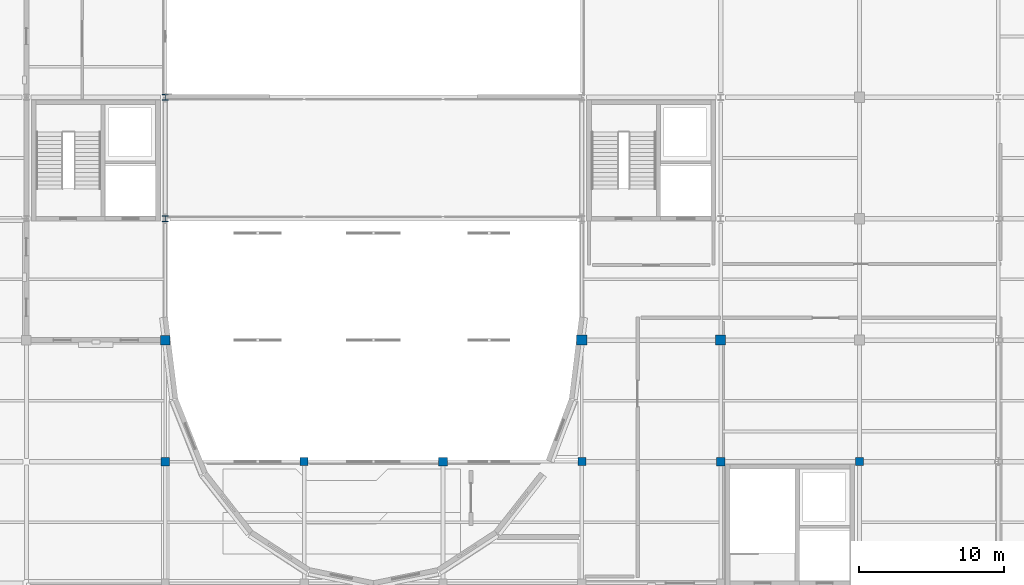
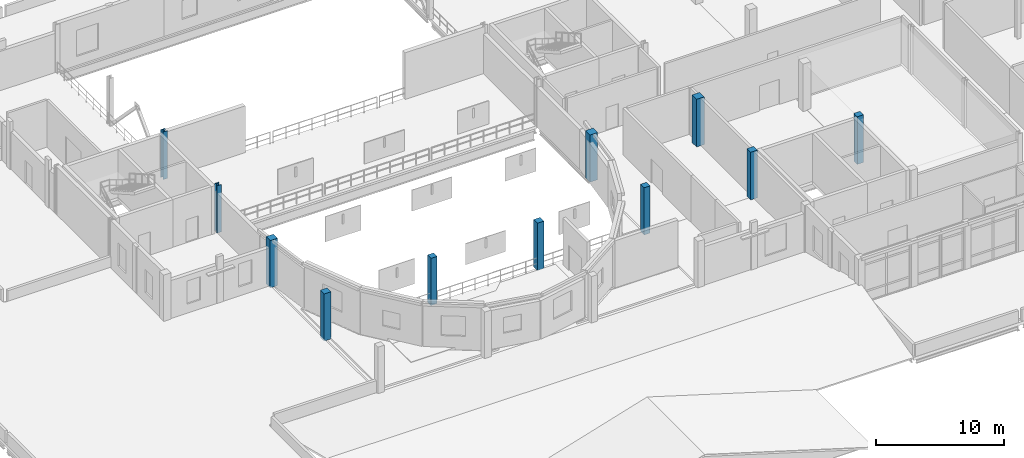
# One storey, part 4 of 52: 11 columns.
"""IFC4 building model written with IfcOpenShell, lengths in metres."""

from ifc_helpers import new_model, si_unit, direction, frame, origin, origin_2d, place, context, subcontext, project, spatial, rectangle, i_section, extrude, material, material_profile, profile_set, type_object, element, save


model = new_model("IFC4")

# Units and contexts
model_context = context("Model", 3, precision=1e-05, world=origin(), true_north=direction((0.0, 1.0)))
body_context = subcontext(model_context, "Body", "Model", "MODEL_VIEW")
ifc_project = project(units=[si_unit("LENGTHUNIT", "METRE"), si_unit("AREAUNIT", "SQUARE_METRE"), si_unit("VOLUMEUNIT", "CUBIC_METRE"), si_unit("PLANEANGLEUNIT", "RADIAN"), si_unit("MASSUNIT", "GRAM", prefix="KILO")], contexts=[model_context])

# Site, building, storey
site_placement = place(None, origin())
site = spatial("IfcSite", under=ifc_project, at=site_placement, CompositionType="ELEMENT")
building_placement = place(site_placement, origin())
building = spatial("IfcBuilding", under=site, at=building_placement, Name="Lornevale Opera House", CompositionType="ELEMENT")
storey_placement = place(building_placement, frame((0.0, 0.0, 15.0)))
storey = spatial("IfcBuildingStorey", under=building, at=storey_placement, Name="L04", CompositionType="ELEMENT", Elevation=15.0)

# Columns
ifc_material_1 = material(Name="Concrete 35 MPa (CSA A23.1 N)", Category="concrete")
ifc_material_profile_1 = material_profile(ifc_material_1, rectangle(XDim=0.550048828125, YDim=0.550048828125, at=origin_2d()), Name="RC550x550")
ifc_profile_set_1 = profile_set([ifc_material_profile_1], Name="Concrete 35 MPa (CSA A23.1 N)")
column_type_1 = type_object("IfcColumnType", Name="Concrete Column 550x550", PredefinedType="COLUMN", material=ifc_profile_set_1)
for number, where, z_axis, x_axis, name in (
    (1, (76.800048828125, 42.0, 0.0), (0.0, 0.0, 1.0), (1.0, 0.0, 0.0), "Concrete Column 550x550 0522"),
    (2, (96.0, 42.0, 0.0), (0.0, 0.0, 1.0), (1.0, 0.0, 0.0), "Concrete Column 550x550 0624"),
):
    element("IfcColumn", number, at=place(storey_placement, frame(where, z_axis=z_axis, x_axis=x_axis)), inside=storey, type_object=column_type_1, Name=name, PredefinedType="COLUMN", context=body_context, shape_type="SweptSolid", body=[
        extrude(rectangle(XDim=0.550048828125, YDim=0.550048828125, at=origin_2d()), origin(), (0.0, 0.0, 1.0), 4.5),
    ])
column_1_placement = place(storey_placement, frame((115.199951171875, 42.0, 0.0), z_axis=(0.0, 0.0, 1.0), x_axis=(1.0, 0.0, 0.0)))
element("IfcColumn", 3, at=column_1_placement, inside=storey, type_object=column_type_1, Name="Concrete Column 550x550 0780", PredefinedType="COLUMN", context=body_context, shape_type="SweptSolid", body=[
    extrude(rectangle(XDim=0.550048828125, YDim=0.550048828125, at=origin_2d()), origin(), (0.0, 0.0, 1.0), 4.530029296875),
])
ifc_material_profile_2 = material_profile(ifc_material_1, rectangle(XDim=0.60009765625, YDim=0.60009765625, at=origin_2d()), Name="RC600x600")
ifc_profile_set_2 = profile_set([ifc_material_profile_2], Name="Concrete 35 MPa (CSA A23.1 N)")
column_type_2 = type_object("IfcColumnType", Name="Concrete Column 600x600", PredefinedType="COLUMN", material=ifc_profile_set_2)
for number, where, z_axis, x_axis, name in (
    (4, (67.199951171875, 42.0, 0.0), (0.0, 0.0, 1.0), (1.0, 0.0, 0.0), "Concrete Column 600x600 0443"),
    (5, (86.39990234375, 42.0, 0.0), (0.0, 0.0, 1.0), (1.0, 0.0, 0.0), "Concrete Column 600x600 0572"),
):
    element("IfcColumn", number, at=place(storey_placement, frame(where, z_axis=z_axis, x_axis=x_axis)), inside=storey, type_object=column_type_2, Name=name, PredefinedType="COLUMN", context=body_context, shape_type="SweptSolid", body=[
        extrude(rectangle(XDim=0.60009765625, YDim=0.60009765625, at=origin_2d()), origin(), (0.0, 0.0, 1.0), 4.5),
    ])
column_2_placement = place(storey_placement, frame((105.60009765625, 42.0, 0.0), z_axis=(0.0, 0.0, 1.0), x_axis=(1.0, 0.0, 0.0)))
element("IfcColumn", 6, at=column_2_placement, inside=storey, type_object=column_type_2, Name="Concrete Column 600x600 0705", PredefinedType="COLUMN", context=body_context, shape_type="SweptSolid", body=[
    extrude(rectangle(XDim=0.60009765625, YDim=0.60009765625, at=origin_2d()), origin(), (0.0, 0.0, 1.0), 4.530029296875),
])
ifc_material_2 = material(Name="Concrete 40 MPa (CSA A23.1 C-1)", Category="concrete")
ifc_material_profile_3 = material_profile(ifc_material_2, rectangle(XDim=0.64990234375, YDim=0.64990234375, at=origin_2d()), Name="RC650x650")
ifc_profile_set_3 = profile_set([ifc_material_profile_3], Name="Concrete 40 MPa (CSA A23.1 C-1)")
column_type_3 = type_object("IfcColumnType", Name="Concrete Column 650x650", PredefinedType="COLUMN", material=ifc_profile_set_3)
column_3_placement = place(storey_placement, frame((67.199951171875, 50.39990234375, 0.0), z_axis=(0.0, 0.0, 1.0), x_axis=(1.0, 0.0, 0.0)))
element("IfcColumn", 7, at=column_3_placement, inside=storey, type_object=column_type_3, Name="Concrete Column 650x650 0449", PredefinedType="COLUMN", context=body_context, shape_type="SweptSolid", body=[
    extrude(rectangle(XDim=0.64990234375, YDim=0.64990234375, at=origin_2d()), origin(), (0.0, 0.0, 1.0), 4.5),
])
ifc_material_profile_4 = material_profile(ifc_material_2, rectangle(XDim=0.699951171875, YDim=0.699951171875, at=origin_2d()), Name="RC700x700")
ifc_profile_set_4 = profile_set([ifc_material_profile_4], Name="Concrete 40 MPa (CSA A23.1 C-1)")
column_type_4 = type_object("IfcColumnType", Name="Concrete Column 700x700", PredefinedType="COLUMN", material=ifc_profile_set_4)
column_4_placement = place(storey_placement, frame((96.0, 50.39990234375, 0.0), z_axis=(0.0, 0.0, 1.0), x_axis=(1.0, 0.0, 0.0)))
element("IfcColumn", 8, at=column_4_placement, inside=storey, type_object=column_type_4, Name="Concrete Column 700x700 0630", PredefinedType="COLUMN", context=body_context, shape_type="SweptSolid", body=[
    extrude(rectangle(XDim=0.699951171875, YDim=0.699951171875, at=origin_2d()), origin(), (0.0, 0.0, 1.0), 4.5),
])
column_5_placement = place(storey_placement, frame((105.60009765625, 50.39990234375, 0.0), z_axis=(0.0, 0.0, 1.0), x_axis=(1.0, 0.0, 0.0)))
element("IfcColumn", 9, at=column_5_placement, inside=storey, type_object=column_type_4, Name="Concrete Column 700x700 0711", PredefinedType="COLUMN", context=body_context, shape_type="SweptSolid", body=[
    extrude(rectangle(XDim=0.699951171875, YDim=0.699951171875, at=origin_2d()), origin(), (0.0, 0.0, 1.0), 4.530029296875),
])
ifc_material_3 = material(Name="Structural Steel CSA G40.21 Grade 350W (350 MPa)", Category="steel")
ifc_material_profile_5 = material_profile(ifc_material_3, i_section(OverallWidth=0.39892578125, OverallDepth=0.39892578125, WebThickness=0.02978515625, FlangeThickness=0.0390625, at=origin_2d()), Name="W360x314")
ifc_profile_set_5 = profile_set([ifc_material_profile_5], Name="Structural Steel CSA G40.21 Grade 350W (350 MPa)")
column_type_5 = type_object("IfcColumnType", Name="Steel Stagehouse Column W360x314", PredefinedType="COLUMN", material=ifc_profile_set_5)
column_6_placement = place(storey_placement, frame((67.199951171875, 58.800048828125, 0.0), z_axis=(0.0, 0.0, 1.0), x_axis=(1.0, 0.0, 0.0)))
element("IfcColumn", 10, at=column_6_placement, inside=storey, type_object=column_type_5, Name="Steel Stagehouse Column W360x314 0456", PredefinedType="COLUMN", context=body_context, shape_type="SweptSolid", body=[
    extrude(i_section(OverallWidth=0.39892578125, OverallDepth=0.39892578125, WebThickness=0.02978515625, FlangeThickness=0.0390625, at=origin_2d()), origin(), (0.0, 0.0, 1.0), 4.5),
])
column_7_placement = place(storey_placement, frame((67.199951171875, 67.199951171875, 0.0), z_axis=(0.0, 0.0, 1.0), x_axis=(1.0, 0.0, 0.0)))
element("IfcColumn", 11, at=column_7_placement, inside=storey, type_object=column_type_5, Name="Steel Stagehouse Column W360x314 0464", PredefinedType="COLUMN", context=body_context, shape_type="SweptSolid", body=[
    extrude(i_section(OverallWidth=0.39892578125, OverallDepth=0.39892578125, WebThickness=0.02978515625, FlangeThickness=0.0390625, at=origin_2d()), origin(), (0.0, 0.0, 1.0), 4.530029296875),
])

save(model, "model.ifc")
